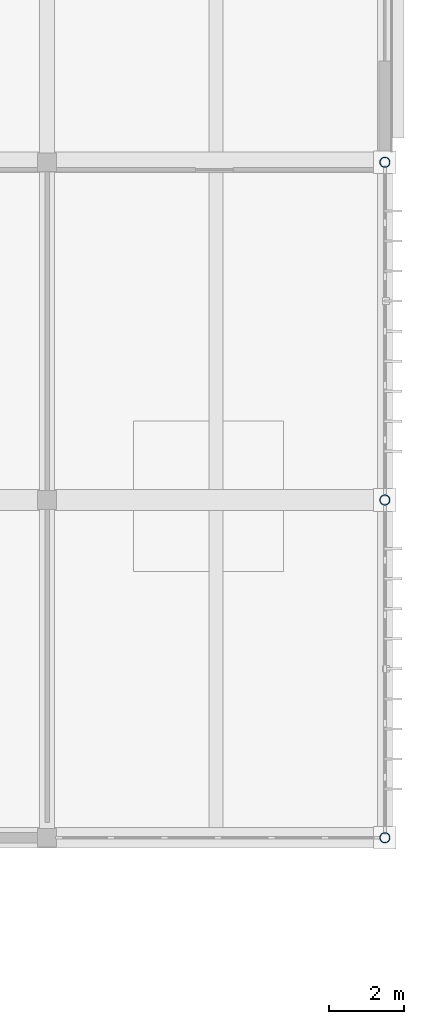
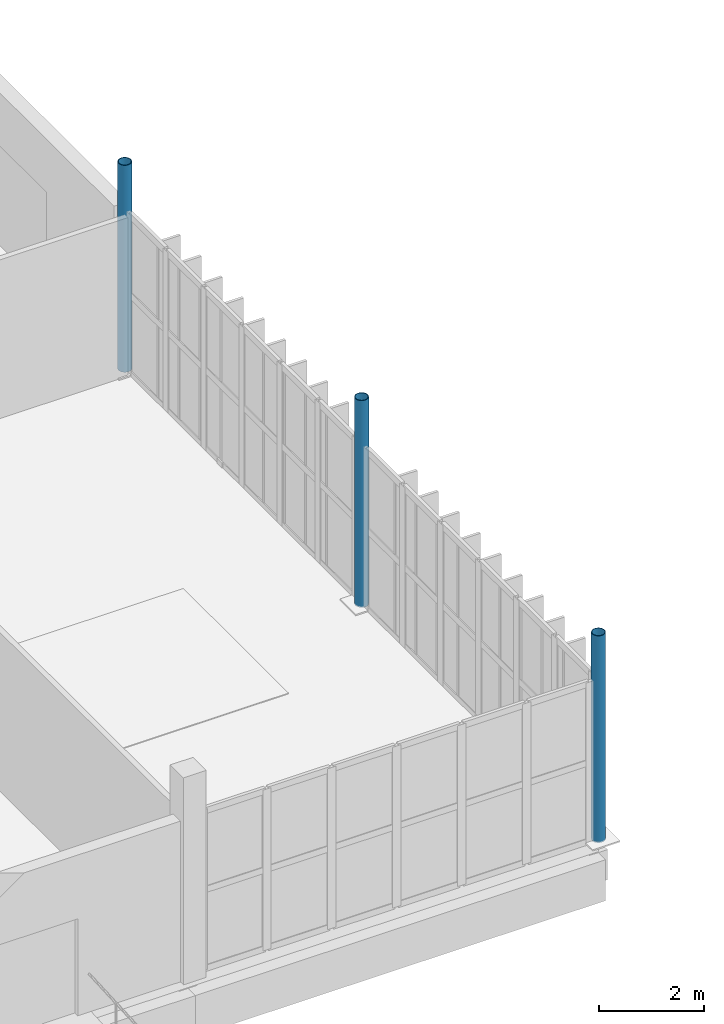
# One storey, part 3 of 72: 3 columns.
"""IFC4 building model written with IfcOpenShell, lengths in metres."""

from ifc_helpers import new_model, si_unit, direction, frame, origin, origin_2d, place, context, subcontext, project, spatial, hollow_circle, extrude, material, material_profile, profile_set, type_object, element, save


model = new_model("IFC4")

# Units and contexts
model_context = context("Model", 3, precision=1e-05, world=origin(), true_north=direction((0.0, 1.0)))
body_context = subcontext(model_context, "Body", "Model", "MODEL_VIEW")
ifc_project = project(units=[si_unit("LENGTHUNIT", "METRE"), si_unit("AREAUNIT", "SQUARE_METRE"), si_unit("VOLUMEUNIT", "CUBIC_METRE"), si_unit("PLANEANGLEUNIT", "RADIAN"), si_unit("MASSUNIT", "GRAM", prefix="KILO")], contexts=[model_context])

# Site, building, storey
site_placement = place(None, origin())
site = spatial("IfcSite", under=ifc_project, at=site_placement, CompositionType="ELEMENT")
building_placement = place(site_placement, origin())
building = spatial("IfcBuilding", under=site, at=building_placement, Name="Vourika Railside Aquatics Centre", CompositionType="ELEMENT")
storey_placement = place(building_placement, origin())
storey = spatial("IfcBuildingStorey", under=building, at=storey_placement, Name="L00", CompositionType="ELEMENT", Elevation=0.0)

# Columns
ifc_material = material(Name="Steel S355J2", Category="steel")
ifc_material_profile = material_profile(ifc_material, hollow_circle(Radius=0.136474609375, WallThickness=0.012451171875, at=origin_2d()), Name="CHS 273x12.5")
ifc_profile_set = profile_set([ifc_material_profile], Name="Steel S355J2")
column_type = type_object("IfcColumnType", Name="COL-STL-CHS273", PredefinedType="COLUMN", material=ifc_profile_set)
for number, where, z_axis, x_axis, name in (
    (1, (168.0, 40.0, 0.0), (0.0, 0.0, 1.0), (1.0, 0.0, 0.0), "Column col:L00:1680_400"),
    (2, (168.0, 49.0, 0.0), (0.0, 0.0, 1.0), (1.0, 0.0, 0.0), "Column col:L00:1680_490"),
    (3, (168.0, 58.0, 0.0), (0.0, 0.0, 1.0), (1.0, 0.0, 0.0), "Column col:L00:1680_580"),
):
    element("IfcColumn", number, at=place(storey_placement, frame(where, z_axis=z_axis, x_axis=x_axis)), inside=storey, type_object=column_type, Name=name, PredefinedType="COLUMN", context=body_context, shape_type="SweptSolid", body=[
        extrude(hollow_circle(Radius=0.136474609375, WallThickness=0.012451171875, at=origin_2d()), origin(), (0.0, 0.0, 1.0), 4.800048828125),
    ])

save(model, "model.ifc")
